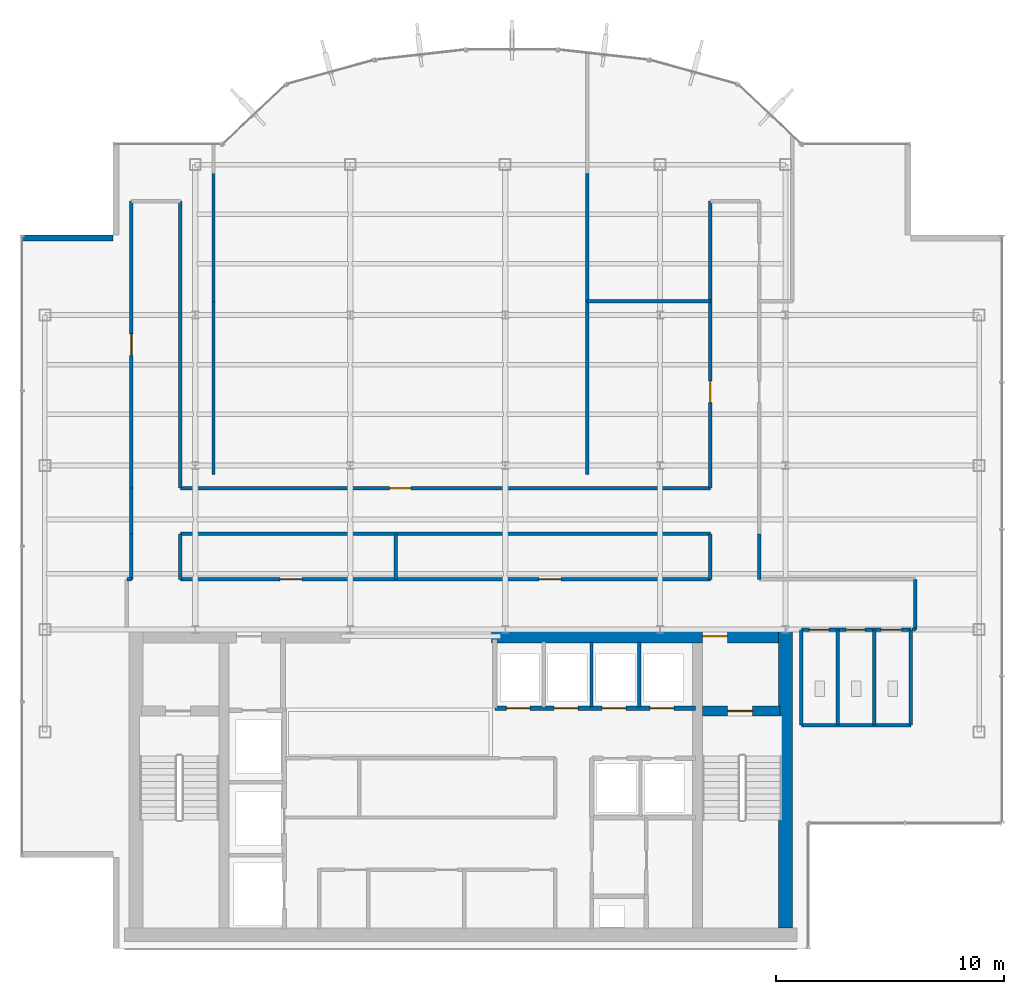
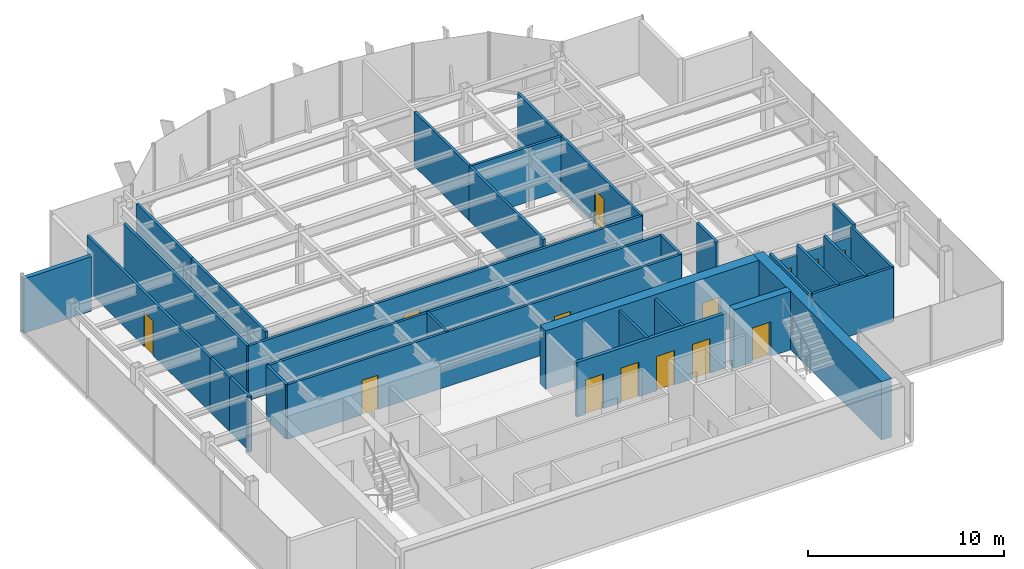
# One storey, part 18 of 22: 33 walls, 14 doors, 14 openings.
"""IFC4 building model written with IfcOpenShell, lengths in metres."""

import ifcopenshell
import ifcopenshell.guid

model = None  # the IFC model being written
_history = None  # IfcOwnerHistory: only IFC2X3 demands one
_inside = {}  # id of a spatial element -> (the spatial element, [elements in it])
_under = {}  # id of a project, library or spatial element -> (it, [spatial elements below it])
_declared = {}  # id of a project -> (the project, [libraries it declares])
_typed = {}  # id of a type object -> (the type object, [elements of that type])
_made_of = {}  # id of a material, layer set ... -> (it, [elements and type objects made of it])


def new_model(schema):
    """Start an empty IFC model of exactly this schema.

    Asked for "IFC4X3", IfcOpenShell would pick the latest addendum, in which some entities
    have other attributes; the version numbers below select the first issue.
    IFC2X3 requires an IfcOwnerHistory on every rooted entity: one is made here for all.
    """
    global model, _history
    if schema == "IFC4X3":
        model = ifcopenshell.file(schema_version=(4, 3, 0, 0))
    else:
        model = ifcopenshell.file(schema=schema)
    _inside.clear()
    _under.clear()
    _declared.clear()
    _typed.clear()
    _made_of.clear()
    _history = None
    if model.schema == "IFC2X3":
        org = make("IfcOrganization", Name="unknown")
        user = make(
            "IfcPersonAndOrganization",
            ThePerson=make("IfcPerson", FamilyName="unknown"),
            TheOrganization=org,
        )
        app = make(
            "IfcApplication",
            ApplicationDeveloper=org,
            Version="unknown",
            ApplicationFullName="unknown",
            ApplicationIdentifier="unknown",
        )
        _history = make(
            "IfcOwnerHistory",
            OwningUser=user,
            OwningApplication=app,
            ChangeAction="ADDED",
            CreationDate=0,
        )
    return model


def make(cls, **values):
    """One entity of the class cls with the attributes given. An attribute that is None is left unset."""
    return model.create_entity(
        cls, **{name: value for name, value in values.items() if value is not None}
    )


def rooted(cls, **values):
    """An entity with a GlobalId (a new one), such as an element, a storey or a relation."""
    return make(cls, GlobalId=ifcopenshell.guid.new(), OwnerHistory=_history, **values)


def si_unit(unit_type, name, prefix=None):
    """IfcSIUnit, for example si_unit("LENGTHUNIT", "METRE", prefix="MILLI")."""
    return make("IfcSIUnit", UnitType=unit_type, Prefix=prefix, Name=name)


def derived_unit(unit_type, elements):
    """IfcDerivedUnit: a product of units, each with its exponent."""
    return make(
        "IfcDerivedUnit",
        Elements=[
            make("IfcDerivedUnitElement", Unit=unit, Exponent=power)
            for unit, power in elements
        ],
        UnitType=unit_type,
    )


def assignment(units):
    """IfcUnitAssignment: the units of a project."""
    return None if units is None else make("IfcUnitAssignment", Units=units)


def point(xyz):
    """IfcCartesianPoint."""
    return None if xyz is None else make("IfcCartesianPoint", Coordinates=xyz)


def direction(xyz):
    """IfcDirection."""
    return None if xyz is None else make("IfcDirection", DirectionRatios=xyz)


def frame(location, z_axis=None, x_axis=None):
    """IfcAxis2Placement3D, a coordinate frame: its origin and axes. An axis left out is left unset."""
    return make(
        "IfcAxis2Placement3D",
        Location=point(location),
        Axis=direction(z_axis),
        RefDirection=direction(x_axis),
    )


def frame_2d(location, x_axis=None):
    """IfcAxis2Placement2D, a coordinate frame in the plane: its origin and x axis."""
    return make(
        "IfcAxis2Placement2D", Location=point(location), RefDirection=direction(x_axis)
    )


def origin():
    """The frame at (0, 0, 0) with its axes left unset."""
    return frame((0.0, 0.0, 0.0))


def place(relative_to, where):
    """IfcLocalPlacement: puts the frame where relative to a parent placement (None: the world)."""
    return make(
        "IfcLocalPlacement", PlacementRelTo=relative_to, RelativePlacement=where
    )


def context(
    kind, dimensions, precision=None, world=None, true_north=None, identifier=None
):
    """IfcGeometricRepresentationContext, for example the 3D "Model" context."""
    return make(
        "IfcGeometricRepresentationContext",
        ContextIdentifier=identifier,
        ContextType=kind,
        CoordinateSpaceDimension=dimensions,
        Precision=precision,
        WorldCoordinateSystem=world,
        TrueNorth=true_north,
    )


def subcontext(parent, identifier, kind, view, scale=None):
    """IfcGeometricRepresentationSubContext, for example "Body" below "Model"."""
    return make(
        "IfcGeometricRepresentationSubContext",
        ContextIdentifier=identifier,
        ContextType=kind,
        ParentContext=parent,
        TargetScale=scale,
        TargetView=view,
    )


def project(units=None, contexts=None):
    """IfcProject with its units and contexts."""
    return rooted(
        "IfcProject",
        Name="project",
        RepresentationContexts=contexts,
        UnitsInContext=assignment(units),
    )


def spatial(cls, under=None, at=None, **own):
    """A site, building, storey or space (cls), placed at a placement, below another one or the project."""
    s = rooted(cls, ObjectPlacement=at, **own)
    if under is not None:
        _under.setdefault(under.id(), (under, []))[1].append(s)
    return s


def profile(cls, at=None, kind="AREA", **sizes):
    """A parametric profile (cls). Its sizes go by their IFC names, for example OverallWidth=200.0."""
    return make(cls, ProfileType=kind, Position=at, **sizes)


def rectangle(**sizes):
    """IfcRectangleProfileDef."""
    return profile("IfcRectangleProfileDef", **sizes)


def extrude(swept, where, along, depth):
    """IfcExtrudedAreaSolid: the profile swept, set in the frame where, extruded along a direction by depth."""
    return make(
        "IfcExtrudedAreaSolid",
        SweptArea=swept,
        Position=where,
        ExtrudedDirection=direction(along),
        Depth=depth,
    )


def shape(context_of_items, identifier, shape_type, items):
    """IfcShapeRepresentation: the items that make up one representation, for example the "Body"."""
    return make(
        "IfcShapeRepresentation",
        ContextOfItems=context_of_items,
        RepresentationIdentifier=identifier,
        RepresentationType=shape_type,
        Items=items,
    )


def source(mapping_origin, context_of_items, identifier, shape_type, items):
    """IfcRepresentationMap: a shape defined once, which mapped items show again and again."""
    return make(
        "IfcRepresentationMap",
        MappingOrigin=mapping_origin,
        MappedRepresentation=shape(context_of_items, identifier, shape_type, items),
    )


def transform(
    local_origin,
    x_axis=None,
    y_axis=None,
    z_axis=None,
    scale=None,
    scale2=None,
    scale3=None,
    uniform=True,
):
    """IfcCartesianTransformationOperator3D, or its non-uniform kind. x_axis, y_axis, z_axis: its Axis1, 2, 3."""
    if uniform:
        return make(
            "IfcCartesianTransformationOperator3D",
            Axis1=direction(x_axis),
            Axis2=direction(y_axis),
            LocalOrigin=point(local_origin),
            Scale=scale,
            Axis3=direction(z_axis),
        )
    return make(
        "IfcCartesianTransformationOperator3DnonUniform",
        Axis1=direction(x_axis),
        Axis2=direction(y_axis),
        LocalOrigin=point(local_origin),
        Scale=scale,
        Axis3=direction(z_axis),
        Scale2=scale2,
        Scale3=scale3,
    )


def mapped(mapping_source, mapping_target):
    """IfcMappedItem: shows the shape of a source again, moved by a transform."""
    return make(
        "IfcMappedItem", MappingSource=mapping_source, MappingTarget=mapping_target
    )


def material(Name=None, Category=None):
    """IfcMaterial."""
    return make("IfcMaterial", Name=Name, Category=Category)


def layer(
    of_material, thickness, ventilated=None, Name=None, Category=None, Priority=None
):
    """IfcMaterialLayer: one layer of a wall or slab, of a material (None: an air gap)."""
    return make(
        "IfcMaterialLayer",
        Material=of_material,
        LayerThickness=thickness,
        IsVentilated=ventilated,
        Name=Name,
        Category=Category,
        Priority=Priority,
    )


def layer_set(layers, Name=None):
    """IfcMaterialLayerSet."""
    return make("IfcMaterialLayerSet", MaterialLayers=layers, LayerSetName=Name)


def made_of(thing, what):
    """Note that an element or type object is made of a material, layer set ...; save() writes the relation."""
    if what is not None:
        _made_of.setdefault(what.id(), (what, []))[1].append(thing)
    return thing


def type_object(cls, material=None, **own):
    """A type object (cls), such as IfcWallType, which elements share."""
    return made_of(rooted(cls, **own), material)


def element(
    cls,
    number,
    at=None,
    inside=None,
    cuts=None,
    type_object=None,
    material=None,
    context=None,
    identifier="Body",
    shape_type=None,
    held_by="IfcProductDefinitionShape",
    body=None,
    shapes=None,
    **own,
):
    """One element of the class cls, such as IfcWall. Its Tag is "e" and its number.

    at: its placement. inside: the storey or other place that contains it. cuts: it is an
    opening in that element (IfcRelVoidsElement). A single representation is given by context,
    identifier, shape_type and body (its items); several are given by shapes. held_by: the class
    of the entity that holds the representations. save() writes the other relations.
    """
    e = rooted(cls, Tag="e%d" % number, ObjectPlacement=at, **own)
    if body is not None:
        shapes = [shape(context, identifier, shape_type, body)]
    if shapes is not None:
        e.Representation = make(held_by, Representations=shapes)
    if inside is not None:
        _inside.setdefault(inside.id(), (inside, []))[1].append(e)
    if cuts is not None:
        rooted(
            "IfcRelVoidsElement", RelatingBuildingElement=cuts, RelatedOpeningElement=e
        )
    if type_object is not None:
        _typed.setdefault(type_object.id(), (type_object, []))[1].append(e)
    return made_of(e, material)


def fill(opening, filler):
    """IfcRelFillsElement: the door or window that sits in an opening."""
    return rooted(
        "IfcRelFillsElement",
        RelatingOpeningElement=opening,
        RelatedBuildingElement=filler,
    )


def aggregate(whole, parts):
    """IfcRelAggregates: a whole, such as a stair, and the parts it consists of."""
    return rooted("IfcRelAggregates", RelatingObject=whole, RelatedObjects=parts)


def save(model, path):
    """Write the relations noted so far, then the file.

    IfcRelAggregates (storeys below a building ...), IfcRelContainedInSpatialStructure (elements
    in a storey), IfcRelDefinesByType, IfcRelAssociatesMaterial and IfcRelDeclares: one each for
    every whole, place, type object, material and project.
    """
    for whole, parts in _under.values():
        aggregate(whole, parts)
    for where, things in _inside.values():
        rooted(
            "IfcRelContainedInSpatialStructure",
            RelatedElements=things,
            RelatingStructure=where,
        )
    for kind, things in _typed.values():
        rooted("IfcRelDefinesByType", RelatedObjects=things, RelatingType=kind)
    for what, things in _made_of.values():
        rooted("IfcRelAssociatesMaterial", RelatedObjects=things, RelatingMaterial=what)
    for by, libraries in _declared.values():
        rooted("IfcRelDeclares", RelatingContext=by, RelatedDefinitions=libraries)
    model.write(path)


model = new_model("IFC4")

# Units and contexts
model_context = context("Model", 3, precision=1e-05, world=origin(), true_north=direction((0.0, 1.0)))
body_context = subcontext(model_context, "Body", "Model", "MODEL_VIEW")
ifc_project = project(units=[si_unit("LENGTHUNIT", "METRE"), si_unit("AREAUNIT", "SQUARE_METRE"), si_unit("VOLUMEUNIT", "CUBIC_METRE"), si_unit("PLANEANGLEUNIT", "RADIAN"), si_unit("MASSUNIT", "GRAM", prefix="KILO"), derived_unit("THERMALTRANSMITTANCEUNIT", [(si_unit("POWERUNIT", "WATT"), 1), (si_unit("LENGTHUNIT", "METRE"), -2), (si_unit("THERMODYNAMICTEMPERATUREUNIT", "KELVIN"), -1)])], contexts=[model_context])

# Site, building, storey
site_placement = place(None, origin())
site = spatial("IfcSite", under=ifc_project, at=site_placement, CompositionType="ELEMENT")
building_placement = place(site_placement, origin())
building = spatial("IfcBuilding", under=site, at=building_placement, Name="Skarnbrae Concourse Arena and Tower", CompositionType="ELEMENT")
storey_placement = place(building_placement, frame((0.0, 0.0, 284.35009765625)))
storey = spatial("IfcBuildingStorey", under=building, at=storey_placement, Name="L74", CompositionType="ELEMENT", Elevation=284.35009765625)

# Wall, opening, door
ifc_material_1 = material(Name="Concrete 50 MPa (C50/60)", Category="concrete")
ifc_layer_1 = layer(ifc_material_1, 0.449951171875)
ifc_layer_set_1 = layer_set([ifc_layer_1], Name="Concrete 50 MPa (C50/60)")
wall_type_1 = type_object("IfcWallType", Name="WALL-CORE-450-C50", PredefinedType="SHEAR", material=ifc_layer_set_1)
shared_shape_1 = source(origin(), body_context, "Body", "SweptSolid", [
    extrude(rectangle(XDim=3.389892578125, YDim=0.449951171875, at=frame_2d((1.69482421875, 0.0))), origin(), (0.0, 0.0, 1.0), 3.64990234375),
])
wall_1_placement = place(storey_placement, frame((29.860107421875, 10.419921875, 0.0), z_axis=(0.0, 0.0, 1.0), x_axis=(1.0, 0.0, 0.0)))
wall_1 = element("IfcWall", 1, at=wall_1_placement, inside=storey, type_object=wall_type_1, Name="L74 Rear core shear wall CW-ST2-N", PredefinedType="SHEAR", context=body_context, shape_type="MappedRepresentation", body=[
    mapped(shared_shape_1, transform((0.0, 0.0, 0.0))),
])
opening_1_placement = place(wall_1_placement, frame((1.10009765625, 0.0, 0.0)))
opening_1 = element("IfcOpeningElement", 2, at=opening_1_placement, cuts=wall_1, Name="Opening DT-03", PredefinedType="OPENING", context=body_context, shape_type="SweptSolid", body=[
    extrude(rectangle(XDim=1.10009765625, YDim=2.14990234375, at=frame_2d((0.550048828125, 1.074951171875))), frame((0.0, 0.23486328125, 0.0), z_axis=(0.0, -1.0, 0.0), x_axis=(1.0, 0.0, 0.0)), (0.0, 0.0, 1.0), 0.469970703125),
])
ifc_material_2 = material(Name="Steel CSA G40.21 350W", Category="steel")
door_type_1 = type_object("IfcDoorType", Name="DOOR-FIRE-1100-90M", OperationType="NOTDEFINED", PredefinedType="DOOR", material=ifc_material_2)
shared_shape_2 = source(origin(), body_context, "Body", "SweptSolid", [
    extrude(rectangle(XDim=1.10009765625, YDim=2.14990234375, at=frame_2d((0.550048828125, 1.074951171875))), frame((0.0, 0.02490234375, 0.0), z_axis=(0.0, -1.0, 0.0), x_axis=(1.0, 0.0, 0.0)), (0.0, 0.0, 1.0), 0.050048828125),
])
door_1_placement = place(opening_1_placement, frame((1.10009765625, 0.0, 0.0), z_axis=(0.0, 0.0, 1.0), x_axis=(-1.0, 0.0, 0.0)))
door_1 = element("IfcDoor", 3, at=door_1_placement, inside=storey, type_object=door_type_1, Name="D-2233 Stair ST-2 Door", OperationType="SINGLE_SWING_RIGHT", OverallHeight=2.14990234375, OverallWidth=1.10009765625, PredefinedType="DOOR", context=body_context, shape_type="MappedRepresentation", body=[
    mapped(shared_shape_2, transform((0.0, 0.0, 0.0))),
])
fill(opening_1, door_1)

# Wall
ifc_layer_2 = layer(ifc_material_1, 0.60009765625)
ifc_layer_set_2 = layer_set([ifc_layer_2], Name="Concrete 50 MPa (C50/60)")
wall_type_2 = type_object("IfcWallType", Name="WALL-CORE-600-C50", PredefinedType="SHEAR", material=ifc_layer_set_2)
shared_shape_3 = source(origin(), body_context, "Body", "SweptSolid", [
    extrude(rectangle(XDim=13.10009765625, YDim=0.60009765625, at=frame_2d((6.550048828125, 0.0))), origin(), (0.0, 0.0, 1.0), 3.64990234375),
])
wall_2_placement = place(storey_placement, frame((33.5, 0.89990234375, 0.0), z_axis=(0.0, 0.0, 1.0), x_axis=(0.0, 1.0, 0.0)))
element("IfcWall", 4, at=wall_2_placement, inside=storey, type_object=wall_type_2, Name="L74 Rear core shear wall CW-E", PredefinedType="SHEAR", context=body_context, shape_type="MappedRepresentation", body=[
    mapped(shared_shape_3, transform((0.0, 0.0, 0.0))),
])

# Wall, opening, door
shared_shape_4 = source(origin(), body_context, "Body", "SweptSolid", [
    extrude(rectangle(XDim=12.599853515625, YDim=0.60009765625, at=frame_2d((6.2998046875, 0.0))), origin(), (0.0, 0.0, 1.0), 3.64990234375),
])
wall_3_placement = place(storey_placement, frame((20.60009765625, 13.699951171875, 0.0), z_axis=(0.0, 0.0, 1.0), x_axis=(1.0, 0.0, 0.0)))
wall_3 = element("IfcWall", 5, at=wall_3_placement, inside=storey, type_object=wall_type_2, Name="L74 Rear core shear wall CW-NE", PredefinedType="SHEAR", context=body_context, shape_type="MappedRepresentation", body=[
    mapped(shared_shape_4, transform((0.0, 0.0, 0.0))),
])
opening_2_placement = place(wall_3_placement, frame((9.25, 0.0, 0.0)))
opening_2 = element("IfcOpeningElement", 6, at=opening_2_placement, cuts=wall_3, Name="Opening DT-03", PredefinedType="OPENING", context=body_context, shape_type="SweptSolid", body=[
    extrude(rectangle(XDim=1.10009765625, YDim=2.14990234375, at=frame_2d((0.550048828125, 1.074951171875))), frame((0.0, 0.31005859375, 0.0), z_axis=(0.0, -1.0, 0.0), x_axis=(1.0, 0.0, 0.0)), (0.0, 0.0, 1.0), 0.6201171875),
])
door_2_placement = place(opening_2_placement, origin())
door_2 = element("IfcDoor", 7, at=door_2_placement, inside=storey, type_object=door_type_1, Name="D-2235 Stair ST-2 Vestibule Door", OperationType="SINGLE_SWING_LEFT", OverallHeight=2.14990234375, OverallWidth=1.10009765625, PredefinedType="DOOR", context=body_context, shape_type="MappedRepresentation", body=[
    mapped(shared_shape_2, transform((0.0, 0.0, 0.0))),
])
fill(opening_2, door_2)

# Wall
ifc_material_3 = material(Name="Precast concrete 40 MPa (C40/50)", Category="concrete")
ifc_layer_3 = layer(ifc_material_3, 0.25)
ifc_layer_set_3 = layer_set([ifc_layer_3], Name="Precast concrete 40 MPa (C40/50)")
wall_type_3 = type_object("IfcWallType", Name="WALL-EXT-SPANDREL-250", PredefinedType="STANDARD", material=ifc_layer_set_3)
shared_shape_5 = source(origin(), body_context, "Body", "SweptSolid", [
    extrude(rectangle(XDim=4.0, YDim=0.25, at=frame_2d((2.0, 0.0))), origin(), (0.0, 0.0, 1.0), 3.39990234375),
])
wall_4_placement = place(storey_placement, frame((4.0, 31.175048828125, 0.0), z_axis=(0.0, 0.0, 1.0), x_axis=(-1.0, 0.0, 0.0)))
element("IfcWall", 8, at=wall_4_placement, inside=storey, type_object=wall_type_3, Name="L74 Notched corner insulated return wall 17", PredefinedType="STANDARD", context=body_context, shape_type="MappedRepresentation", body=[
    mapped(shared_shape_5, transform((0.0, 0.0, 0.0))),
])

# Wall, openings, doors
ifc_material_4 = material(Name="Gypsum board on cold-formed steel studs", Category="steel")
ifc_layer_4 = layer(ifc_material_4, 0.199951171875)
ifc_layer_set_4 = layer_set([ifc_layer_4], Name="Gypsum board on cold-formed steel studs")
wall_type_4 = type_object("IfcWallType", Name="WALL-PART-200-2HR", PredefinedType="PARTITIONING", material=ifc_layer_set_4)
shared_shape_6 = source(origin(), body_context, "Body", "SweptSolid", [
    extrude(rectangle(XDim=8.800048828125, YDim=0.199951171875, at=frame_2d((4.39990234375, 0.0))), origin(), (0.0, 0.0, 1.0), 3.39990234375),
])
wall_5_placement = place(storey_placement, frame((20.75, 10.550048828125, 0.0), z_axis=(0.0, 0.0, 1.0), x_axis=(1.0, 0.0, 0.0)))
wall_5 = element("IfcWall", 9, at=wall_5_placement, inside=storey, type_object=wall_type_4, Name="L74 Interior partition wall W-L74-B3N-S", PredefinedType="PARTITIONING", context=body_context, shape_type="MappedRepresentation", body=[
    mapped(shared_shape_6, transform((0.0, 0.0, 0.0))),
])
opening_3_placement = place(wall_5_placement, frame((0.5, 0.0, 0.0)))
opening_3 = element("IfcOpeningElement", 10, at=opening_3_placement, cuts=wall_5, Name="Opening LD-04", PredefinedType="OPENING", context=body_context, shape_type="SweptSolid", body=[
    extrude(rectangle(XDim=1.050048828125, YDim=2.14990234375, at=frame_2d((0.52490234375, 1.074951171875))), frame((0.0, 0.10986328125, 0.0), z_axis=(0.0, -1.0, 0.0), x_axis=(1.0, 0.0, 0.0)), (0.0, 0.0, 1.0), 0.219970703125),
])
opening_4_placement = place(wall_5_placement, frame((2.60009765625, 0.0, 0.0)))
opening_4 = element("IfcOpeningElement", 11, at=opening_4_placement, cuts=wall_5, Name="Opening LD-04", PredefinedType="OPENING", context=body_context, shape_type="SweptSolid", body=[
    extrude(rectangle(XDim=1.050048828125, YDim=2.14990234375, at=frame_2d((0.52490234375, 1.074951171875))), frame((0.0, 0.10986328125, 0.0), z_axis=(0.0, -1.0, 0.0), x_axis=(1.0, 0.0, 0.0)), (0.0, 0.0, 1.0), 0.219970703125),
])
opening_5_placement = place(wall_5_placement, frame((4.699951171875, 0.0, 0.0)))
opening_5 = element("IfcOpeningElement", 12, at=opening_5_placement, cuts=wall_5, Name="Opening LD-04", PredefinedType="OPENING", context=body_context, shape_type="SweptSolid", body=[
    extrude(rectangle(XDim=1.050048828125, YDim=2.14990234375, at=frame_2d((0.52490234375, 1.074951171875))), frame((0.0, 0.10986328125, 0.0), z_axis=(0.0, -1.0, 0.0), x_axis=(1.0, 0.0, 0.0)), (0.0, 0.0, 1.0), 0.219970703125),
])
opening_6_placement = place(wall_5_placement, frame((6.800048828125, 0.0, 0.0)))
opening_6 = element("IfcOpeningElement", 13, at=opening_6_placement, cuts=wall_5, Name="Opening LD-04", PredefinedType="OPENING", context=body_context, shape_type="SweptSolid", body=[
    extrude(rectangle(XDim=1.050048828125, YDim=2.14990234375, at=frame_2d((0.52490234375, 1.074951171875))), frame((0.0, 0.10986328125, 0.0), z_axis=(0.0, -1.0, 0.0), x_axis=(1.0, 0.0, 0.0)), (0.0, 0.0, 1.0), 0.219970703125),
])
ifc_material_5 = material(Name="Bronze anodised aluminium 6063-T6", Category="aluminium")
door_type_2 = type_object("IfcDoorType", Name="DOOR-LIFT-SLIDE-1050H", OperationType="SLIDING_TO_LEFT", PredefinedType="DOOR", material=ifc_material_5)
shared_shape_7 = source(origin(), body_context, "Body", "SweptSolid", [
    extrude(rectangle(XDim=1.050048828125, YDim=2.14990234375, at=frame_2d((0.52490234375, 1.074951171875))), frame((0.0, 0.02490234375, 0.0), z_axis=(0.0, -1.0, 0.0), x_axis=(1.0, 0.0, 0.0)), (0.0, 0.0, 1.0), 0.050048828125),
])
door_3_placement = place(opening_3_placement, frame((1.050048828125, 0.0, 0.0), z_axis=(0.0, 0.0, 1.0), x_axis=(-1.0, 0.0, 0.0)))
door_3 = element("IfcDoor", 14, at=door_3_placement, inside=storey, type_object=door_type_2, Name="D-2244 Passenger Lift Landing Door PL-3A", OperationType="SLIDING_TO_LEFT", OverallHeight=2.14990234375, OverallWidth=1.050048828125, PredefinedType="DOOR", context=body_context, shape_type="MappedRepresentation", body=[
    mapped(shared_shape_7, transform((0.0, 0.0, 0.0))),
])
fill(opening_3, door_3)
door_4_placement = place(opening_4_placement, frame((1.050048828125, 0.0, 0.0), z_axis=(0.0, 0.0, 1.0), x_axis=(-1.0, 0.0, 0.0)))
door_4 = element("IfcDoor", 15, at=door_4_placement, inside=storey, type_object=door_type_2, Name="D-2245 Passenger Lift Landing Door PL-3B", OperationType="SLIDING_TO_LEFT", OverallHeight=2.14990234375, OverallWidth=1.050048828125, PredefinedType="DOOR", context=body_context, shape_type="MappedRepresentation", body=[
    mapped(shared_shape_7, transform((0.0, 0.0, 0.0))),
])
fill(opening_4, door_4)
door_5_placement = place(opening_5_placement, frame((1.050048828125, 0.0, 0.0), z_axis=(0.0, 0.0, 1.0), x_axis=(-1.0, 0.0, 0.0)))
door_5 = element("IfcDoor", 16, at=door_5_placement, inside=storey, type_object=door_type_2, Name="D-2246 Passenger Lift Landing Door PL-3C", OperationType="SLIDING_TO_LEFT", OverallHeight=2.14990234375, OverallWidth=1.050048828125, PredefinedType="DOOR", context=body_context, shape_type="MappedRepresentation", body=[
    mapped(shared_shape_7, transform((0.0, 0.0, 0.0))),
])
fill(opening_5, door_5)
door_6_placement = place(opening_6_placement, frame((1.050048828125, 0.0, 0.0), z_axis=(0.0, 0.0, 1.0), x_axis=(-1.0, 0.0, 0.0)))
door_6 = element("IfcDoor", 17, at=door_6_placement, inside=storey, type_object=door_type_2, Name="D-2247 Passenger Lift Landing Door PL-3D", OperationType="SLIDING_TO_LEFT", OverallHeight=2.14990234375, OverallWidth=1.050048828125, PredefinedType="DOOR", context=body_context, shape_type="MappedRepresentation", body=[
    mapped(shared_shape_7, transform((0.0, 0.0, 0.0))),
])
fill(opening_6, door_6)

# Walls
ifc_layer_5 = layer(ifc_material_4, 0.14990234375)
ifc_layer_set_5 = layer_set([ifc_layer_5], Name="Gypsum board on cold-formed steel studs")
wall_type_5 = type_object("IfcWallType", Name="WALL-PART-150", PredefinedType="PARTITIONING", material=ifc_layer_set_5)
shared_shape_8 = source(origin(), body_context, "Body", "SweptSolid", [
    extrude(rectangle(XDim=2.849853515625, YDim=0.14990234375, at=frame_2d((1.4248046875, 0.0))), origin(), (0.0, 0.0, 1.0), 3.39990234375),
])
for number, where, z_axis, x_axis, name in (
    (18, (24.989990234375, 10.60009765625, 0.0), (0.0, 0.0, 1.0), (0.0, 1.0, 0.0), "L74 Interior partition wall W-L74-B3N-P2"),
    (19, (27.090087890625, 10.60009765625, 0.0), (0.0, 0.0, 1.0), (0.0, 1.0, 0.0), "L74 Interior partition wall W-L74-B3N-P3"),
):
    element("IfcWall", number, at=place(storey_placement, frame(where, z_axis=z_axis, x_axis=x_axis)), inside=storey, type_object=wall_type_5, Name=name, PredefinedType="PARTITIONING", context=body_context, shape_type="MappedRepresentation", body=[
        mapped(shared_shape_8, transform((0.0, 0.0, 0.0))),
    ])
shared_shape_9 = source(origin(), body_context, "Body", "SweptSolid", [
    extrude(rectangle(XDim=4.800048828125, YDim=0.14990234375, at=frame_2d((2.39990234375, 0.0))), origin(), (0.0, 0.0, 1.0), 3.39990234375),
])
wall_6_placement = place(storey_placement, frame((34.199951171875, 9.800048828125, 0.0), z_axis=(0.0, 0.0, 1.0), x_axis=(1.0, 0.0, 0.0)))
element("IfcWall", 20, at=wall_6_placement, inside=storey, type_object=wall_type_5, Name="L74 Interior partition wall W-L74-WC-S", PredefinedType="PARTITIONING", context=body_context, shape_type="MappedRepresentation", body=[
    mapped(shared_shape_9, transform((0.0, 0.0, 0.0))),
])
shared_shape_10 = source(origin(), body_context, "Body", "SweptSolid", [
    extrude(rectangle(XDim=4.179931640625, YDim=0.14990234375, at=frame_2d((2.08984375, 0.0))), origin(), (0.0, 0.0, 1.0), 3.39990234375),
])
for number, where, z_axis, x_axis, name in (
    (21, (39.0, 9.800048828125, 0.0), (0.0, 0.0, 1.0), (0.0, 1.0, 0.0), "L74 Interior partition wall W-L74-WC-E"),
    (22, (34.199951171875, 9.800048828125, 0.0), (0.0, 0.0, 1.0), (0.0, 1.0, 0.0), "L74 Interior partition wall W-L74-WC-W"),
    (23, (35.800048828125, 9.800048828125, 0.0), (0.0, 0.0, 1.0), (0.0, 1.0, 0.0), "L74 Interior partition wall W-L74-WC-D1"),
    (24, (37.39990234375, 9.800048828125, 0.0), (0.0, 0.0, 1.0), (0.0, 1.0, 0.0), "L74 Interior partition wall W-L74-WC-D2"),
):
    element("IfcWall", number, at=place(storey_placement, frame(where, z_axis=z_axis, x_axis=x_axis)), inside=storey, type_object=wall_type_5, Name=name, PredefinedType="PARTITIONING", context=body_context, shape_type="MappedRepresentation", body=[
        mapped(shared_shape_10, transform((0.0, 0.0, 0.0))),
    ])
ifc_layer_6 = layer(ifc_material_4, 0.14990234375)
ifc_layer_set_6 = layer_set([ifc_layer_6], Name="Gypsum board on cold-formed steel studs")
wall_type_6 = type_object("IfcWallType", Name="WALL-PART-150-1HR", PredefinedType="PARTITIONING", material=ifc_layer_set_6)
shared_shape_11 = source(origin(), body_context, "Body", "SweptSolid", [
    extrude(rectangle(XDim=0.199951171875, YDim=0.14990234375, at=frame_2d((0.10009765625, 0.0))), origin(), (0.0, 0.0, 1.0), 3.39990234375),
])
wall_7_placement = place(storey_placement, frame((4.60009765625, 16.199951171875, 0.0), z_axis=(0.0, 0.0, 1.0), x_axis=(1.0, 0.0, 0.0)))
element("IfcWall", 25, at=wall_7_placement, inside=storey, type_object=wall_type_6, Name="L74 Interior partition wall W-L74-COR-02", PredefinedType="PARTITIONING", context=body_context, shape_type="MappedRepresentation", body=[
    mapped(shared_shape_11, transform((0.0, 0.0, 0.0))),
])
shared_shape_12 = source(origin(), body_context, "Body", "SweptSolid", [
    extrude(rectangle(XDim=2.199951171875, YDim=0.14990234375, at=frame_2d((1.10009765625, 0.0))), origin(), (0.0, 0.0, 1.0), 3.39990234375),
])
wall_8_placement = place(storey_placement, frame((39.199951171875, 16.199951171875, 0.0), z_axis=(0.0, 0.0, 1.0), x_axis=(0.0, -1.0, 0.0)))
element("IfcWall", 26, at=wall_8_placement, inside=storey, type_object=wall_type_6, Name="L74 Interior partition wall W-L74-COR-15", PredefinedType="PARTITIONING", context=body_context, shape_type="MappedRepresentation", body=[
    mapped(shared_shape_12, transform((0.0, 0.0, 0.0))),
])
shared_shape_13 = source(origin(), body_context, "Body", "SweptSolid", [
    extrude(rectangle(XDim=5.60009765625, YDim=0.14990234375, at=frame_2d((2.800048828125, 0.0))), origin(), (0.0, 0.0, 1.0), 3.39990234375),
])
for number, where, z_axis, x_axis, name in (
    (27, (8.39990234375, 34.0, 0.0), (0.0, 0.0, 1.0), (0.0, -1.0, 0.0), "L74 Interior partition wall W-L74-DEM-22"),
    (28, (24.800048828125, 34.0, 0.0), (0.0, 0.0, 1.0), (0.0, -1.0, 0.0), "L74 Interior partition wall W-L74-DEM-28"),
):
    element("IfcWall", number, at=place(storey_placement, frame(where, z_axis=z_axis, x_axis=x_axis)), inside=storey, type_object=wall_type_5, Name=name, PredefinedType="PARTITIONING", context=body_context, shape_type="MappedRepresentation", body=[
        mapped(shared_shape_13, transform((0.0, 0.0, 0.0))),
    ])

# Wall, openings, doors
shared_shape_14 = source(origin(), body_context, "Body", "SweptSolid", [
    extrude(rectangle(XDim=4.800048828125, YDim=0.14990234375, at=frame_2d((2.39990234375, 0.0))), origin(), (0.0, 0.0, 1.0), 2.786865234375),
])
wall_9_placement = place(storey_placement, frame((34.199951171875, 13.97998046875, 0.0), z_axis=(0.0, 0.0, 1.0), x_axis=(1.0, 0.0, 0.0)))
wall_9 = element("IfcWall", 29, at=wall_9_placement, inside=storey, type_object=wall_type_5, Name="L74 Interior partition wall W-L74-WC-N", PredefinedType="PARTITIONING", context=body_context, shape_type="MappedRepresentation", body=[
    mapped(shared_shape_14, transform((0.0, 0.0, 0.0))),
])
opening_7_placement = place(wall_9_placement, frame((0.35009765625, 0.0, 0.0)))
opening_7 = element("IfcOpeningElement", 30, at=opening_7_placement, cuts=wall_9, Name="Opening DT-06", PredefinedType="OPENING", context=body_context, shape_type="SweptSolid", body=[
    extrude(rectangle(XDim=0.85009765625, YDim=2.10009765625, at=frame_2d((0.425048828125, 1.050048828125))), frame((0.0, 0.0849609375, 0.0), z_axis=(0.0, -1.0, 0.0), x_axis=(1.0, 0.0, 0.0)), (0.0, 0.0, 1.0), 0.169921875),
])
opening_8_placement = place(wall_9_placement, frame((1.949951171875, 0.0, 0.0)))
opening_8 = element("IfcOpeningElement", 31, at=opening_8_placement, cuts=wall_9, Name="Opening DT-06", PredefinedType="OPENING", context=body_context, shape_type="SweptSolid", body=[
    extrude(rectangle(XDim=0.85009765625, YDim=2.10009765625, at=frame_2d((0.425048828125, 1.050048828125))), frame((0.0, 0.0849609375, 0.0), z_axis=(0.0, -1.0, 0.0), x_axis=(1.0, 0.0, 0.0)), (0.0, 0.0, 1.0), 0.169921875),
])
opening_9_placement = place(wall_9_placement, frame((3.5, 0.0, 0.0)))
opening_9 = element("IfcOpeningElement", 32, at=opening_9_placement, cuts=wall_9, Name="Opening DT-05", PredefinedType="OPENING", context=body_context, shape_type="SweptSolid", body=[
    extrude(rectangle(XDim=0.89990234375, YDim=2.10009765625, at=frame_2d((0.449951171875, 1.050048828125))), frame((0.0, 0.0849609375, 0.0), z_axis=(0.0, -1.0, 0.0), x_axis=(1.0, 0.0, 0.0)), (0.0, 0.0, 1.0), 0.169921875),
])
ifc_material_6 = material(Name="Architectural oak veneer timber leaf", Category="wood")
door_type_3 = type_object("IfcDoorType", Name="DOOR-INT-850", OperationType="NOTDEFINED", PredefinedType="DOOR", material=ifc_material_6)
shared_shape_15 = source(origin(), body_context, "Body", "SweptSolid", [
    extrude(rectangle(XDim=0.85009765625, YDim=2.10009765625, at=frame_2d((0.425048828125, 1.050048828125))), frame((0.0, 0.02490234375, 0.0), z_axis=(0.0, -1.0, 0.0), x_axis=(1.0, 0.0, 0.0)), (0.0, 0.0, 1.0), 0.050048828125),
])
door_7_placement = place(opening_7_placement, frame((0.85009765625, 0.0, 0.0), z_axis=(0.0, 0.0, 1.0), x_axis=(-1.0, 0.0, 0.0)))
door_7 = element("IfcDoor", 33, at=door_7_placement, inside=storey, type_object=door_type_3, Name="D-2252 Male Washroom Door", OperationType="SINGLE_SWING_LEFT", OverallHeight=2.10009765625, OverallWidth=0.85009765625, PredefinedType="DOOR", context=body_context, shape_type="MappedRepresentation", body=[
    mapped(shared_shape_15, transform((0.0, 0.0, 0.0))),
])
fill(opening_7, door_7)
door_8_placement = place(opening_8_placement, frame((0.85009765625, 0.0, 0.0), z_axis=(0.0, 0.0, 1.0), x_axis=(-1.0, 0.0, 0.0)))
door_8 = element("IfcDoor", 34, at=door_8_placement, inside=storey, type_object=door_type_3, Name="D-2253 Female Washroom Door", OperationType="SINGLE_SWING_RIGHT", OverallHeight=2.10009765625, OverallWidth=0.85009765625, PredefinedType="DOOR", context=body_context, shape_type="MappedRepresentation", body=[
    mapped(shared_shape_15, transform((0.0, 0.0, 0.0))),
])
fill(opening_8, door_8)
door_type_4 = type_object("IfcDoorType", Name="DOOR-INT-900", OperationType="NOTDEFINED", PredefinedType="DOOR", material=ifc_material_6)
shared_shape_16 = source(origin(), body_context, "Body", "SweptSolid", [
    extrude(rectangle(XDim=0.89990234375, YDim=2.10009765625, at=frame_2d((0.449951171875, 1.050048828125))), frame((0.0, 0.02490234375, 0.0), z_axis=(0.0, -1.0, 0.0), x_axis=(1.0, 0.0, 0.0)), (0.0, 0.0, 1.0), 0.050048828125),
])
door_9_placement = place(opening_9_placement, frame((0.89990234375, 0.0, 0.0), z_axis=(0.0, 0.0, 1.0), x_axis=(-1.0, 0.0, 0.0)))
door_9 = element("IfcDoor", 35, at=door_9_placement, inside=storey, type_object=door_type_4, Name="D-2254 Accessible WC Door", OperationType="SINGLE_SWING_LEFT", OverallHeight=2.10009765625, OverallWidth=0.89990234375, PredefinedType="DOOR", context=body_context, shape_type="MappedRepresentation", body=[
    mapped(shared_shape_16, transform((0.0, 0.0, 0.0))),
])
fill(opening_9, door_9)

# Walls
shared_shape_17 = source(origin(), body_context, "Body", "SweptSolid", [
    extrude(rectangle(XDim=0.14990234375, YDim=0.14990234375, at=frame_2d((0.074951171875, 0.0))), origin(), (0.0, 0.0, 1.0), 3.39990234375),
])
wall_10_placement = place(storey_placement, frame((39.199951171875, 14.0, 0.0), z_axis=(0.0, 0.0, 1.0), x_axis=(-1.0, 0.0, 0.0)))
element("IfcWall", 36, at=wall_10_placement, inside=storey, type_object=wall_type_6, Name="L74 Interior partition wall W-L74-COR-16", PredefinedType="PARTITIONING", context=body_context, shape_type="MappedRepresentation", body=[
    mapped(shared_shape_17, transform((0.0, 0.0, 0.0))),
])
shared_shape_18 = source(origin(), body_context, "Body", "SweptSolid", [
    extrude(rectangle(XDim=2.0, YDim=0.14990234375, at=frame_2d((1.0, 0.0))), origin(), (0.0, 0.0, 1.0), 3.39990234375),
])
for number, where, z_axis, x_axis, name in (
    (37, (4.800048828125, 16.199951171875, 0.0), (0.0, 0.0, 1.0), (0.0, 1.0, 0.0), "L74 Interior partition wall W-L74-COR-03"),
    (38, (4.800048828125, 18.199951171875, 0.0), (0.0, 0.0, 1.0), (0.0, 1.0, 0.0), "L74 Interior partition wall W-L74-COR-04"),
    (39, (32.35009765625, 18.199951171875, 0.0), (0.0, 0.0, 1.0), (0.0, -1.0, 0.0), "L74 Interior partition wall W-L74-COR-13"),
    (40, (30.199951171875, 16.199951171875, 0.0), (0.0, 0.0, 1.0), (0.0, 1.0, 0.0), "L74 Interior partition wall W-L74-COR-18"),
    (41, (6.949951171875, 18.199951171875, 0.0), (0.0, 0.0, 1.0), (0.0, -1.0, 0.0), "L74 Interior partition wall W-L74-COR-20"),
):
    element("IfcWall", number, at=place(storey_placement, frame(where, z_axis=z_axis, x_axis=x_axis)), inside=storey, type_object=wall_type_6, Name=name, PredefinedType="PARTITIONING", context=body_context, shape_type="MappedRepresentation", body=[
        mapped(shared_shape_18, transform((0.0, 0.0, 0.0))),
    ])
wall_11_placement = place(storey_placement, frame((16.39990234375, 18.199951171875, 0.0), z_axis=(0.0, 0.0, 1.0), x_axis=(0.0, -1.0, 0.0)))
element("IfcWall", 42, at=wall_11_placement, inside=storey, type_object=wall_type_5, Name="L74 Interior partition wall W-L74-DEM-24", PredefinedType="PARTITIONING", context=body_context, shape_type="MappedRepresentation", body=[
    mapped(shared_shape_18, transform((0.0, 0.0, 0.0))),
])
shared_shape_19 = source(origin(), body_context, "Body", "SweptSolid", [
    extrude(rectangle(XDim=7.599853515625, YDim=0.14990234375, at=frame_2d((3.7998046875, 0.0))), origin(), (0.0, 0.0, 1.0), 3.39990234375),
])
for number, where, z_axis, x_axis, name in (
    (43, (8.39990234375, 28.39990234375, 0.0), (0.0, 0.0, 1.0), (0.0, -1.0, 0.0), "L74 Interior partition wall W-L74-DEM-23"),
    (44, (24.800048828125, 28.39990234375, 0.0), (0.0, 0.0, 1.0), (0.0, -1.0, 0.0), "L74 Interior partition wall W-L74-DEM-25"),
):
    element("IfcWall", number, at=place(storey_placement, frame(where, z_axis=z_axis, x_axis=x_axis)), inside=storey, type_object=wall_type_5, Name=name, PredefinedType="PARTITIONING", context=body_context, shape_type="MappedRepresentation", body=[
        mapped(shared_shape_19, transform((0.0, 0.0, 0.0))),
    ])

# Wall, opening, door
shared_shape_20 = source(origin(), body_context, "Body", "SweptSolid", [
    extrude(rectangle(XDim=12.60009765625, YDim=0.14990234375, at=frame_2d((6.300048828125, 0.0))), origin(), (0.0, 0.0, 1.0), 3.39990234375),
])
wall_12_placement = place(storey_placement, frame((4.800048828125, 20.199951171875, 0.0), z_axis=(0.0, 0.0, 1.0), x_axis=(0.0, 1.0, 0.0)))
wall_12 = element("IfcWall", 45, at=wall_12_placement, inside=storey, type_object=wall_type_6, Name="L74 Interior partition wall W-L74-COR-05", PredefinedType="PARTITIONING", context=body_context, shape_type="MappedRepresentation", body=[
    mapped(shared_shape_20, transform((0.0, 0.0, 0.0))),
])
opening_10_placement = place(wall_12_placement, frame((5.824951171875, 0.0, 0.0)))
opening_10 = element("IfcOpeningElement", 46, at=opening_10_placement, cuts=wall_12, Name="Opening DT-04", PredefinedType="OPENING", context=body_context, shape_type="SweptSolid", body=[
    extrude(rectangle(XDim=0.949951171875, YDim=2.14990234375, at=frame_2d((0.47509765625, 1.074951171875))), frame((0.0, 0.0849609375, 0.0), z_axis=(0.0, -1.0, 0.0), x_axis=(1.0, 0.0, 0.0)), (0.0, 0.0, 1.0), 0.169921875),
])
door_type_5 = type_object("IfcDoorType", Name="DOOR-INT-950-45M", OperationType="NOTDEFINED", PredefinedType="DOOR", material=ifc_material_2)
shared_shape_21 = source(origin(), body_context, "Body", "SweptSolid", [
    extrude(rectangle(XDim=0.949951171875, YDim=2.14990234375, at=frame_2d((0.47509765625, 1.074951171875))), frame((0.0, 0.02490234375, 0.0), z_axis=(0.0, -1.0, 0.0), x_axis=(1.0, 0.0, 0.0)), (0.0, 0.0, 1.0), 0.050048828125),
])
door_10_placement = place(opening_10_placement, origin())
door_10 = element("IfcDoor", 47, at=door_10_placement, inside=storey, type_object=door_type_5, Name="D-2255 L74 Suite Door 01", OperationType="SINGLE_SWING_RIGHT", OverallHeight=2.14990234375, OverallWidth=0.949951171875, PredefinedType="DOOR", context=body_context, shape_type="MappedRepresentation", body=[
    mapped(shared_shape_21, transform((0.0, 0.0, 0.0))),
])
fill(opening_10, door_10)

# Wall
wall_13_placement = place(storey_placement, frame((6.949951171875, 32.800048828125, 0.0), z_axis=(0.0, 0.0, 1.0), x_axis=(0.0, -1.0, 0.0)))
element("IfcWall", 48, at=wall_13_placement, inside=storey, type_object=wall_type_6, Name="L74 Interior partition wall W-L74-COR-07", PredefinedType="PARTITIONING", context=body_context, shape_type="MappedRepresentation", body=[
    mapped(shared_shape_20, transform((0.0, 0.0, 0.0))),
])

# Wall, opening, door
wall_14_placement = place(storey_placement, frame((30.199951171875, 20.199951171875, 0.0), z_axis=(0.0, 0.0, 1.0), x_axis=(0.0, 1.0, 0.0)))
wall_14 = element("IfcWall", 49, at=wall_14_placement, inside=storey, type_object=wall_type_6, Name="L74 Interior partition wall W-L74-COR-09", PredefinedType="PARTITIONING", context=body_context, shape_type="MappedRepresentation", body=[
    mapped(shared_shape_20, transform((0.0, 0.0, 0.0))),
])
opening_11_placement = place(wall_14_placement, frame((3.7548828125, 0.0, 0.0)))
opening_11 = element("IfcOpeningElement", 50, at=opening_11_placement, cuts=wall_14, Name="Opening DT-04", PredefinedType="OPENING", context=body_context, shape_type="SweptSolid", body=[
    extrude(rectangle(XDim=0.949951171875, YDim=2.14990234375, at=frame_2d((0.47509765625, 1.074951171875))), frame((0.0, 0.0849609375, 0.0), z_axis=(0.0, -1.0, 0.0), x_axis=(1.0, 0.0, 0.0)), (0.0, 0.0, 1.0), 0.169921875),
])
door_11_placement = place(opening_11_placement, origin())
door_11 = element("IfcDoor", 51, at=door_11_placement, inside=storey, type_object=door_type_5, Name="D-2259 L74 Suite Door 05", OperationType="SINGLE_SWING_RIGHT", OverallHeight=2.14990234375, OverallWidth=0.949951171875, PredefinedType="DOOR", context=body_context, shape_type="MappedRepresentation", body=[
    mapped(shared_shape_21, transform((0.0, 0.0, 0.0))),
])
fill(opening_11, door_11)

shared_shape_22 = source(origin(), body_context, "Body", "SweptSolid", [
    extrude(rectangle(XDim=23.25, YDim=0.14990234375, at=frame_2d((11.625, 0.0))), origin(), (0.0, 0.0, 1.0), 3.39990234375),
])
wall_15_placement = place(storey_placement, frame((6.949951171875, 20.199951171875, 0.0), z_axis=(0.0, 0.0, 1.0), x_axis=(1.0, 0.0, 0.0)))
wall_15 = element("IfcWall", 52, at=wall_15_placement, inside=storey, type_object=wall_type_6, Name="L74 Interior partition wall W-L74-COR-08", PredefinedType="PARTITIONING", context=body_context, shape_type="MappedRepresentation", body=[
    mapped(shared_shape_22, transform((0.0, 0.0, 0.0))),
])
opening_12_placement = place(wall_15_placement, frame((9.175048828125, 0.0, 0.0)))
opening_12 = element("IfcOpeningElement", 53, at=opening_12_placement, cuts=wall_15, Name="Opening DT-04", PredefinedType="OPENING", context=body_context, shape_type="SweptSolid", body=[
    extrude(rectangle(XDim=0.949951171875, YDim=2.14990234375, at=frame_2d((0.47509765625, 1.074951171875))), frame((0.0, 0.0849609375, 0.0), z_axis=(0.0, -1.0, 0.0), x_axis=(1.0, 0.0, 0.0)), (0.0, 0.0, 1.0), 0.169921875),
])
door_12_placement = place(opening_12_placement, origin())
door_12 = element("IfcDoor", 54, at=door_12_placement, inside=storey, type_object=door_type_5, Name="D-2257 L74 Suite Door 03", OperationType="SINGLE_SWING_RIGHT", OverallHeight=2.14990234375, OverallWidth=0.949951171875, PredefinedType="DOOR", context=body_context, shape_type="MappedRepresentation", body=[
    mapped(shared_shape_21, transform((0.0, 0.0, 0.0))),
])
fill(opening_12, door_12)

# Wall, openings, doors
wall_16_placement = place(storey_placement, frame((6.949951171875, 16.199951171875, 0.0), z_axis=(0.0, 0.0, 1.0), x_axis=(1.0, 0.0, 0.0)))
wall_16 = element("IfcWall", 55, at=wall_16_placement, inside=storey, type_object=wall_type_6, Name="L74 Interior partition wall W-L74-COR-17", PredefinedType="PARTITIONING", context=body_context, shape_type="MappedRepresentation", body=[
    mapped(shared_shape_22, transform((0.0, 0.0, 0.0))),
])
opening_13_placement = place(wall_16_placement, frame((4.3798828125, 0.0, 0.0)))
opening_13 = element("IfcOpeningElement", 56, at=opening_13_placement, cuts=wall_16, Name="Opening DT-04", PredefinedType="OPENING", context=body_context, shape_type="SweptSolid", body=[
    extrude(rectangle(XDim=0.949951171875, YDim=2.14990234375, at=frame_2d((0.47509765625, 1.074951171875))), frame((0.0, 0.0849609375, 0.0), z_axis=(0.0, -1.0, 0.0), x_axis=(1.0, 0.0, 0.0)), (0.0, 0.0, 1.0), 0.169921875),
])
opening_14_placement = place(wall_16_placement, frame((15.7451171875, 0.0, 0.0)))
opening_14 = element("IfcOpeningElement", 57, at=opening_14_placement, cuts=wall_16, Name="Opening DT-04", PredefinedType="OPENING", context=body_context, shape_type="SweptSolid", body=[
    extrude(rectangle(XDim=0.949951171875, YDim=2.14990234375, at=frame_2d((0.47509765625, 1.074951171875))), frame((0.0, 0.0849609375, 0.0), z_axis=(0.0, -1.0, 0.0), x_axis=(1.0, 0.0, 0.0)), (0.0, 0.0, 1.0), 0.169921875),
])
door_13_placement = place(opening_13_placement, origin())
door_13 = element("IfcDoor", 58, at=door_13_placement, inside=storey, type_object=door_type_5, Name="D-2256 L74 Suite Door 02", OperationType="SINGLE_SWING_LEFT", OverallHeight=2.14990234375, OverallWidth=0.949951171875, PredefinedType="DOOR", context=body_context, shape_type="MappedRepresentation", body=[
    mapped(shared_shape_21, transform((0.0, 0.0, 0.0))),
])
fill(opening_13, door_13)
door_14_placement = place(opening_14_placement, origin())
door_14 = element("IfcDoor", 59, at=door_14_placement, inside=storey, type_object=door_type_5, Name="D-2258 L74 Suite Door 04", OperationType="SINGLE_SWING_LEFT", OverallHeight=2.14990234375, OverallWidth=0.949951171875, PredefinedType="DOOR", context=body_context, shape_type="MappedRepresentation", body=[
    mapped(shared_shape_21, transform((0.0, 0.0, 0.0))),
])
fill(opening_14, door_14)

# Walls
wall_17_placement = place(storey_placement, frame((30.199951171875, 18.199951171875, 0.0), z_axis=(0.0, 0.0, 1.0), x_axis=(-1.0, 0.0, 0.0)))
element("IfcWall", 60, at=wall_17_placement, inside=storey, type_object=wall_type_6, Name="L74 Interior partition wall W-L74-COR-19", PredefinedType="PARTITIONING", context=body_context, shape_type="MappedRepresentation", body=[
    mapped(shared_shape_22, transform((0.0, 0.0, 0.0))),
])
shared_shape_23 = source(origin(), body_context, "Body", "SweptSolid", [
    extrude(rectangle(XDim=5.39990234375, YDim=0.14990234375, at=frame_2d((2.699951171875, 0.0))), origin(), (0.0, 0.0, 1.0), 3.39990234375),
])
wall_18_placement = place(storey_placement, frame((24.800048828125, 28.39990234375, 0.0), z_axis=(0.0, 0.0, 1.0), x_axis=(1.0, 0.0, 0.0)))
element("IfcWall", 61, at=wall_18_placement, inside=storey, type_object=wall_type_5, Name="L74 Interior partition wall W-L74-DEM-26", PredefinedType="PARTITIONING", context=body_context, shape_type="MappedRepresentation", body=[
    mapped(shared_shape_23, transform((0.0, 0.0, 0.0))),
])

save(model, "model.ifc")
